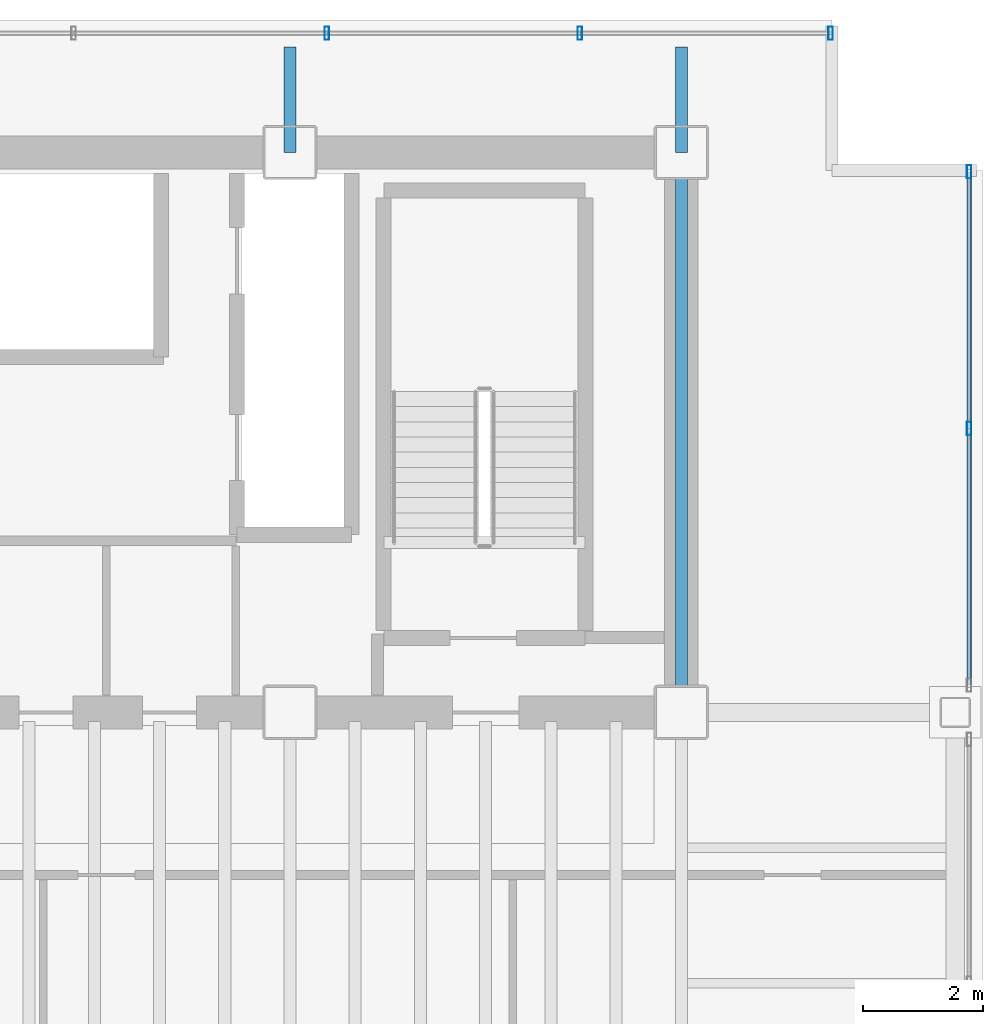
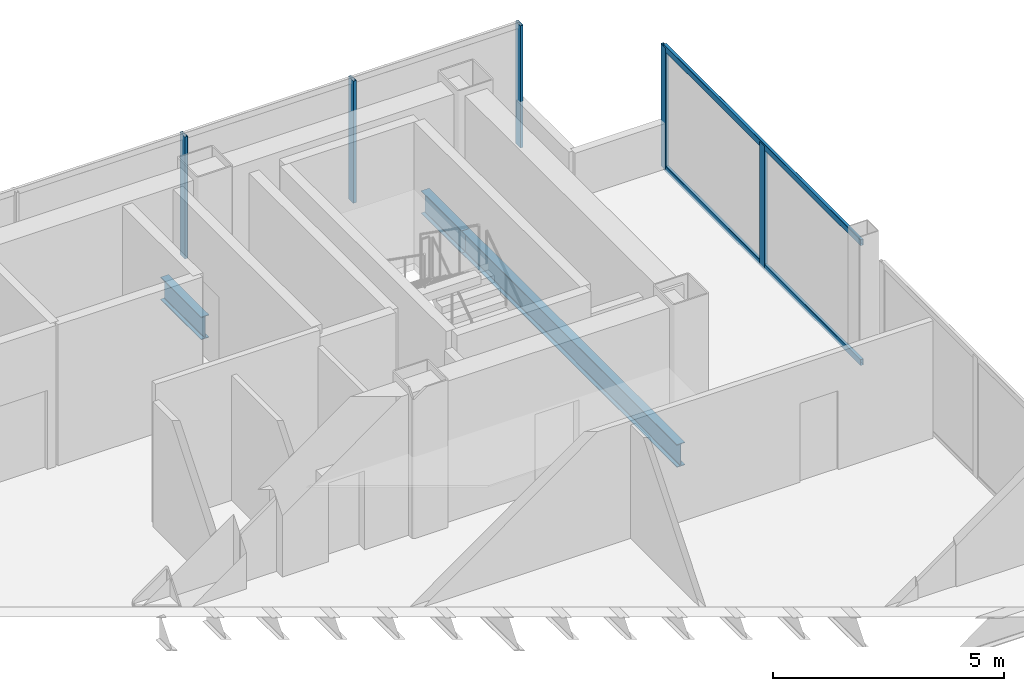
# One storey, part 17 of 22: 7 members, 3 beams, 2 elements without a shape of their own.
"""IFC4 building model written with IfcOpenShell, lengths in metres."""

from ifc_helpers import new_model, si_unit, direction, frame, origin, origin_2d, place, context, subcontext, project, spatial, hollow_rectangle, i_section, extrude, material, material_profile, profile_set, type_object, element, aggregate, save


model = new_model("IFC4")

# Units and contexts
model_context = context("Model", 3, precision=1e-05, world=origin(), true_north=direction((0.0, 1.0)))
body_context = subcontext(model_context, "Body", "Model", "MODEL_VIEW")
ifc_project = project(units=[si_unit("LENGTHUNIT", "METRE"), si_unit("AREAUNIT", "SQUARE_METRE"), si_unit("VOLUMEUNIT", "CUBIC_METRE"), si_unit("PLANEANGLEUNIT", "RADIAN"), si_unit("MASSUNIT", "GRAM", prefix="KILO")], contexts=[model_context])

# Site, building, storey
site_placement = place(None, origin())
site = spatial("IfcSite", under=ifc_project, at=site_placement, CompositionType="ELEMENT")
building_placement = place(site_placement, origin())
building = spatial("IfcBuilding", under=site, at=building_placement, Name="Noeulbin Bourse Tower", CompositionType="ELEMENT")
storey_placement = place(building_placement, frame((0.0, 0.0, 134.39990234375)))
storey = spatial("IfcBuildingStorey", under=building, at=storey_placement, Name="L33", CompositionType="ELEMENT", Elevation=134.39990234375)

# Beams
ifc_material_1 = material(Name="Steel S355", Category="steel")
ifc_material_profile_1 = material_profile(ifc_material_1, i_section(OverallWidth=0.199951171875, OverallDepth=0.60009765625, WebThickness=0.010986328125, FlangeThickness=0.01708984375, FilletRadius=0.02197265625, at=origin_2d()), Name="H-600x200x11x17", Category="LoadBearing")
ifc_profile_set_1 = profile_set([ifc_material_profile_1], Name="Steel S355")
beam_type = type_object("IfcBeamType", Name="BM-GRD-600", PredefinedType="USERDEFINED", material=ifc_profile_set_1)
beam_1_placement = place(storey_placement, frame((37.5, 38.300048828125, -0.47998046875), z_axis=(0.0, 1.0, 0.0), x_axis=(-1.0, 0.0, 0.0)))
element("IfcBeam", 1, at=beam_1_placement, inside=storey, type_object=beam_type, Name="Tower Primary Girder NS L33-4.4", ObjectType="GIRDER", PredefinedType="USERDEFINED", context=body_context, shape_type="SweptSolid", body=[
    extrude(i_section(OverallWidth=0.199951171875, OverallDepth=0.60009765625, WebThickness=0.010986328125, FlangeThickness=0.01708984375, FilletRadius=0.02197265625, at=origin_2d()), origin(), (0.0, 0.0, 1.0), 1.75),
])
beam_2_placement = place(storey_placement, frame((44.0, 29.0, -0.47998046875), z_axis=(0.0, 1.0, 0.0), x_axis=(-1.0, 0.0, 0.0)))
element("IfcBeam", 2, at=beam_2_placement, inside=storey, type_object=beam_type, Name="Tower Primary Girder NS L33-5.3", ObjectType="GIRDER", PredefinedType="USERDEFINED", context=body_context, shape_type="SweptSolid", body=[
    extrude(i_section(OverallWidth=0.199951171875, OverallDepth=0.60009765625, WebThickness=0.010986328125, FlangeThickness=0.01708984375, FilletRadius=0.02197265625, at=origin_2d()), origin(), (0.0, 0.0, 1.0), 9.300048828125),
])
beam_3_placement = place(storey_placement, frame((44.0, 38.300048828125, -0.47998046875), z_axis=(0.0, 1.0, 0.0), x_axis=(-1.0, 0.0, 0.0)))
element("IfcBeam", 3, at=beam_3_placement, inside=storey, type_object=beam_type, Name="Tower Primary Girder NS L33-5.4", ObjectType="GIRDER", PredefinedType="USERDEFINED", context=body_context, shape_type="SweptSolid", body=[
    extrude(i_section(OverallWidth=0.199951171875, OverallDepth=0.60009765625, WebThickness=0.010986328125, FlangeThickness=0.01708984375, FilletRadius=0.02197265625, at=origin_2d()), origin(), (0.0, 0.0, 1.0), 1.75),
])

# Curtain wall, members
ifc_material_2 = material(Name="Dark Tinted Triple Glazing", Category="glass")
curtain_wall_type = type_object("IfcCurtainWallType", Name="CW-SYS-3", PredefinedType="NOTDEFINED", material=ifc_material_2)
curtain_wall_1_placement = place(storey_placement, origin())
curtain_wall_1 = element("IfcCurtainWall", 4, at=curtain_wall_1_placement, inside=storey, type_object=curtain_wall_type, Name="Unitised Curtain Wall CW-L33-N", PredefinedType="NOTDEFINED")
ifc_material_3 = material(Name="Anodised Aluminium 6063-T6", Category="aluminium")
ifc_material_profile_2 = material_profile(ifc_material_3, hollow_rectangle(XDim=0.074951171875, YDim=0.219970703125, WallThickness=0.0048828125, InnerFilletRadius=0.00244140625, OuterFilletRadius=0.0048828125, at=origin_2d()), Name="ALU-MULL-75x220x5", Category="LoadBearing")
ifc_profile_set_2 = profile_set([ifc_material_profile_2], Name="Anodised Aluminium 6063-T6")
member_type_1 = type_object("IfcMemberType", Name="CW-SYS-3-MUL", PredefinedType="MULLION", material=ifc_profile_set_2)
member_1_placement = place(storey_placement, frame((38.112060546875, 40.280029296875, -0.02001953125), z_axis=(0.0, 0.0, 1.0), x_axis=(1.0, 0.0, 0.0)))
member_1 = element("IfcMember", 5, at=member_1_placement, type_object=member_type_1, Name="Curtain Wall Mullion CW-L33-N-M08", PredefinedType="MULLION", context=body_context, shape_type="SweptSolid", body=[
    extrude(hollow_rectangle(XDim=0.074951171875, YDim=0.219970703125, WallThickness=0.0048828125, InnerFilletRadius=0.00244140625, OuterFilletRadius=0.0048828125, at=origin_2d()), origin(), (0.0, 0.0, 1.0), 3.22021484375),
])
member_2_placement = place(storey_placement, frame((42.31591796875, 40.280029296875, -0.02001953125), z_axis=(0.0, 0.0, 1.0), x_axis=(1.0, 0.0, 0.0)))
member_2 = element("IfcMember", 6, at=member_2_placement, type_object=member_type_1, Name="Curtain Wall Mullion CW-L33-N-M09", PredefinedType="MULLION", context=body_context, shape_type="SweptSolid", body=[
    extrude(hollow_rectangle(XDim=0.074951171875, YDim=0.219970703125, WallThickness=0.0048828125, InnerFilletRadius=0.00244140625, OuterFilletRadius=0.0048828125, at=origin_2d()), origin(), (0.0, 0.0, 1.0), 3.22021484375),
])
member_3_placement = place(storey_placement, frame((46.47998046875, 40.280029296875, -0.02001953125), z_axis=(0.0, 0.0, 1.0), x_axis=(1.0, 0.0, 0.0)))
member_3 = element("IfcMember", 7, at=member_3_placement, type_object=member_type_1, Name="Curtain Wall Mullion CW-L33-N-M10", PredefinedType="MULLION", context=body_context, shape_type="SweptSolid", body=[
    extrude(hollow_rectangle(XDim=0.074951171875, YDim=0.219970703125, WallThickness=0.0048828125, InnerFilletRadius=0.00244140625, OuterFilletRadius=0.0048828125, at=origin_2d()), origin(), (0.0, 0.0, 1.0), 3.22021484375),
])
aggregate(curtain_wall_1, [member_1, member_2, member_3])

curtain_wall_2_placement = place(storey_placement, origin())
curtain_wall_2 = element("IfcCurtainWall", 8, at=curtain_wall_2_placement, inside=storey, type_object=curtain_wall_type, Name="Unitised Curtain Wall CW-L33-E-S3", PredefinedType="NOTDEFINED")
member_4_placement = place(storey_placement, frame((48.780029296875, 33.715087890625, -0.02001953125), z_axis=(0.0, 0.0, 1.0), x_axis=(1.0, 0.0, 0.0)))
member_4 = element("IfcMember", 9, at=member_4_placement, type_object=member_type_1, Name="Curtain Wall Mullion CW-L33-E-S3-M01", PredefinedType="MULLION", context=body_context, shape_type="SweptSolid", body=[
    extrude(hollow_rectangle(XDim=0.074951171875, YDim=0.219970703125, WallThickness=0.0048828125, InnerFilletRadius=0.00244140625, OuterFilletRadius=0.0048828125, at=origin_2d()), origin(), (0.0, 0.0, 1.0), 3.22021484375),
])
member_5_placement = place(storey_placement, frame((48.780029296875, 37.97998046875, -0.02001953125), z_axis=(0.0, 0.0, 1.0), x_axis=(1.0, 0.0, 0.0)))
member_5 = element("IfcMember", 10, at=member_5_placement, type_object=member_type_1, Name="Curtain Wall Mullion CW-L33-E-S3-M02", PredefinedType="MULLION", context=body_context, shape_type="SweptSolid", body=[
    extrude(hollow_rectangle(XDim=0.074951171875, YDim=0.219970703125, WallThickness=0.0048828125, InnerFilletRadius=0.00244140625, OuterFilletRadius=0.0048828125, at=origin_2d()), origin(), (0.0, 0.0, 1.0), 3.22021484375),
])
ifc_material_profile_3 = material_profile(ifc_material_3, hollow_rectangle(XDim=0.074951171875, YDim=0.159912109375, WallThickness=0.0048828125, InnerFilletRadius=0.00244140625, OuterFilletRadius=0.0048828125, at=origin_2d()), Name="ALU-TRAN-75x160x5", Category="LoadBearing")
ifc_profile_set_3 = profile_set([ifc_material_profile_3], Name="Anodised Aluminium 6063-T6")
member_type_2 = type_object("IfcMemberType", Name="CW-SYS-3-TRN", PredefinedType="USERDEFINED", material=ifc_profile_set_3)
member_6_placement = place(storey_placement, frame((48.780029296875, 29.4599609375, 0.010009765625), z_axis=(0.0, 1.0, 0.0), x_axis=(-1.0, 0.0, 0.0)))
member_6 = element("IfcMember", 11, at=member_6_placement, type_object=member_type_2, Name="Curtain Wall Transom CW-L33-E-S3-T00", ObjectType="TRANSOM", PredefinedType="USERDEFINED", context=body_context, shape_type="SweptSolid", body=[
    extrude(hollow_rectangle(XDim=0.074951171875, YDim=0.159912109375, WallThickness=0.0048828125, InnerFilletRadius=0.00244140625, OuterFilletRadius=0.0048828125, at=origin_2d()), origin(), (0.0, 0.0, 1.0), 8.510009765625),
])
member_7_placement = place(storey_placement, frame((48.780029296875, 29.4599609375, 3.170166015625), z_axis=(0.0, 1.0, 0.0), x_axis=(-1.0, 0.0, 0.0)))
member_7 = element("IfcMember", 12, at=member_7_placement, type_object=member_type_2, Name="Curtain Wall Transom CW-L33-E-S3-T01", ObjectType="TRANSOM", PredefinedType="USERDEFINED", context=body_context, shape_type="SweptSolid", body=[
    extrude(hollow_rectangle(XDim=0.074951171875, YDim=0.159912109375, WallThickness=0.0048828125, InnerFilletRadius=0.00244140625, OuterFilletRadius=0.0048828125, at=origin_2d()), origin(), (0.0, 0.0, 1.0), 8.510009765625),
])
aggregate(curtain_wall_2, [member_4, member_5, member_6, member_7])

save(model, "model.ifc")
